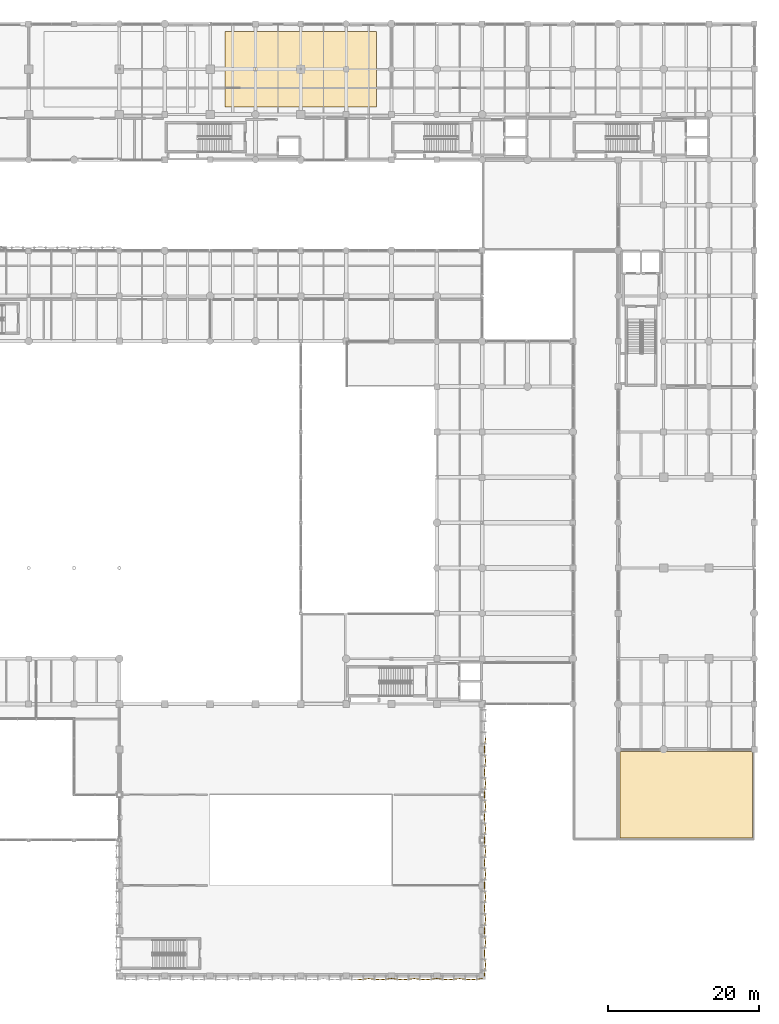
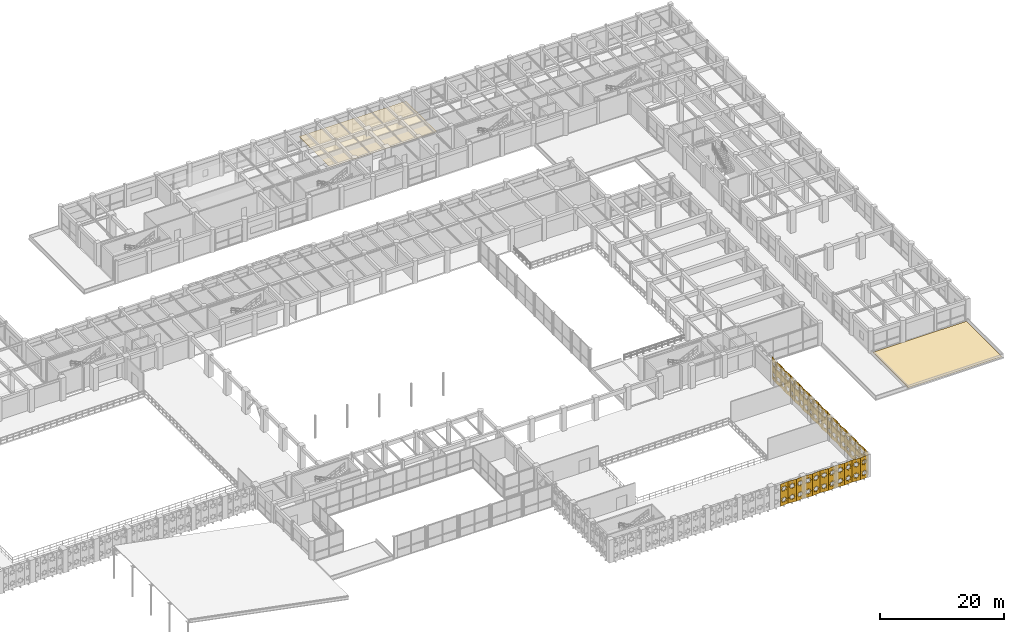
# One storey, part 130 of 133: 34 coverings.
"""IFC4 building model written with IfcOpenShell, lengths in metres."""

import ifcopenshell
import ifcopenshell.guid

model = None  # the IFC model being written
_history = None  # IfcOwnerHistory: only IFC2X3 demands one
_inside = {}  # id of a spatial element -> (the spatial element, [elements in it])
_under = {}  # id of a project, library or spatial element -> (it, [spatial elements below it])
_declared = {}  # id of a project -> (the project, [libraries it declares])
_typed = {}  # id of a type object -> (the type object, [elements of that type])
_made_of = {}  # id of a material, layer set ... -> (it, [elements and type objects made of it])


def new_model(schema):
    """Start an empty IFC model of exactly this schema.

    Asked for "IFC4X3", IfcOpenShell would pick the latest addendum, in which some entities
    have other attributes; the version numbers below select the first issue.
    IFC2X3 requires an IfcOwnerHistory on every rooted entity: one is made here for all.
    """
    global model, _history
    if schema == "IFC4X3":
        model = ifcopenshell.file(schema_version=(4, 3, 0, 0))
    else:
        model = ifcopenshell.file(schema=schema)
    _inside.clear()
    _under.clear()
    _declared.clear()
    _typed.clear()
    _made_of.clear()
    _history = None
    if model.schema == "IFC2X3":
        org = make("IfcOrganization", Name="unknown")
        user = make(
            "IfcPersonAndOrganization",
            ThePerson=make("IfcPerson", FamilyName="unknown"),
            TheOrganization=org,
        )
        app = make(
            "IfcApplication",
            ApplicationDeveloper=org,
            Version="unknown",
            ApplicationFullName="unknown",
            ApplicationIdentifier="unknown",
        )
        _history = make(
            "IfcOwnerHistory",
            OwningUser=user,
            OwningApplication=app,
            ChangeAction="ADDED",
            CreationDate=0,
        )
    return model


def make(cls, **values):
    """One entity of the class cls with the attributes given. An attribute that is None is left unset."""
    return model.create_entity(
        cls, **{name: value for name, value in values.items() if value is not None}
    )


def rooted(cls, **values):
    """An entity with a GlobalId (a new one), such as an element, a storey or a relation."""
    return make(cls, GlobalId=ifcopenshell.guid.new(), OwnerHistory=_history, **values)


def si_unit(unit_type, name, prefix=None):
    """IfcSIUnit, for example si_unit("LENGTHUNIT", "METRE", prefix="MILLI")."""
    return make("IfcSIUnit", UnitType=unit_type, Prefix=prefix, Name=name)


def assignment(units):
    """IfcUnitAssignment: the units of a project."""
    return None if units is None else make("IfcUnitAssignment", Units=units)


def point(xyz):
    """IfcCartesianPoint."""
    return None if xyz is None else make("IfcCartesianPoint", Coordinates=xyz)


def direction(xyz):
    """IfcDirection."""
    return None if xyz is None else make("IfcDirection", DirectionRatios=xyz)


def frame(location, z_axis=None, x_axis=None):
    """IfcAxis2Placement3D, a coordinate frame: its origin and axes. An axis left out is left unset."""
    return make(
        "IfcAxis2Placement3D",
        Location=point(location),
        Axis=direction(z_axis),
        RefDirection=direction(x_axis),
    )


def origin():
    """The frame at (0, 0, 0) with its axes left unset."""
    return frame((0.0, 0.0, 0.0))


def place(relative_to, where):
    """IfcLocalPlacement: puts the frame where relative to a parent placement (None: the world)."""
    return make(
        "IfcLocalPlacement", PlacementRelTo=relative_to, RelativePlacement=where
    )


def context(
    kind, dimensions, precision=None, world=None, true_north=None, identifier=None
):
    """IfcGeometricRepresentationContext, for example the 3D "Model" context."""
    return make(
        "IfcGeometricRepresentationContext",
        ContextIdentifier=identifier,
        ContextType=kind,
        CoordinateSpaceDimension=dimensions,
        Precision=precision,
        WorldCoordinateSystem=world,
        TrueNorth=true_north,
    )


def subcontext(parent, identifier, kind, view, scale=None):
    """IfcGeometricRepresentationSubContext, for example "Body" below "Model"."""
    return make(
        "IfcGeometricRepresentationSubContext",
        ContextIdentifier=identifier,
        ContextType=kind,
        ParentContext=parent,
        TargetScale=scale,
        TargetView=view,
    )


def project(units=None, contexts=None):
    """IfcProject with its units and contexts."""
    return rooted(
        "IfcProject",
        Name="project",
        RepresentationContexts=contexts,
        UnitsInContext=assignment(units),
    )


def spatial(cls, under=None, at=None, **own):
    """A site, building, storey or space (cls), placed at a placement, below another one or the project."""
    s = rooted(cls, ObjectPlacement=at, **own)
    if under is not None:
        _under.setdefault(under.id(), (under, []))[1].append(s)
    return s


def polyline(points):
    """IfcPolyline through the points."""
    return make("IfcPolyline", Points=[point(p) for p in points])


def outline(outer, holes=None, kind="AREA"):
    """IfcArbitraryClosedProfileDef: a profile drawn as a closed curve; with holes, ...WithVoids."""
    if holes is None:
        return make("IfcArbitraryClosedProfileDef", ProfileType=kind, OuterCurve=outer)
    return make(
        "IfcArbitraryProfileDefWithVoids",
        ProfileType=kind,
        OuterCurve=outer,
        InnerCurves=holes,
    )


def extrude(swept, where, along, depth):
    """IfcExtrudedAreaSolid: the profile swept, set in the frame where, extruded along a direction by depth."""
    return make(
        "IfcExtrudedAreaSolid",
        SweptArea=swept,
        Position=where,
        ExtrudedDirection=direction(along),
        Depth=depth,
    )


def shape(context_of_items, identifier, shape_type, items):
    """IfcShapeRepresentation: the items that make up one representation, for example the "Body"."""
    return make(
        "IfcShapeRepresentation",
        ContextOfItems=context_of_items,
        RepresentationIdentifier=identifier,
        RepresentationType=shape_type,
        Items=items,
    )


def material(Name=None, Category=None):
    """IfcMaterial."""
    return make("IfcMaterial", Name=Name, Category=Category)


def layer(
    of_material, thickness, ventilated=None, Name=None, Category=None, Priority=None
):
    """IfcMaterialLayer: one layer of a wall or slab, of a material (None: an air gap)."""
    return make(
        "IfcMaterialLayer",
        Material=of_material,
        LayerThickness=thickness,
        IsVentilated=ventilated,
        Name=Name,
        Category=Category,
        Priority=Priority,
    )


def layer_set(layers, Name=None):
    """IfcMaterialLayerSet."""
    return make("IfcMaterialLayerSet", MaterialLayers=layers, LayerSetName=Name)


def made_of(thing, what):
    """Note that an element or type object is made of a material, layer set ...; save() writes the relation."""
    if what is not None:
        _made_of.setdefault(what.id(), (what, []))[1].append(thing)
    return thing


def type_object(cls, material=None, **own):
    """A type object (cls), such as IfcWallType, which elements share."""
    return made_of(rooted(cls, **own), material)


def element(
    cls,
    number,
    at=None,
    inside=None,
    cuts=None,
    type_object=None,
    material=None,
    context=None,
    identifier="Body",
    shape_type=None,
    held_by="IfcProductDefinitionShape",
    body=None,
    shapes=None,
    **own,
):
    """One element of the class cls, such as IfcWall. Its Tag is "e" and its number.

    at: its placement. inside: the storey or other place that contains it. cuts: it is an
    opening in that element (IfcRelVoidsElement). A single representation is given by context,
    identifier, shape_type and body (its items); several are given by shapes. held_by: the class
    of the entity that holds the representations. save() writes the other relations.
    """
    e = rooted(cls, Tag="e%d" % number, ObjectPlacement=at, **own)
    if body is not None:
        shapes = [shape(context, identifier, shape_type, body)]
    if shapes is not None:
        e.Representation = make(held_by, Representations=shapes)
    if inside is not None:
        _inside.setdefault(inside.id(), (inside, []))[1].append(e)
    if cuts is not None:
        rooted(
            "IfcRelVoidsElement", RelatingBuildingElement=cuts, RelatedOpeningElement=e
        )
    if type_object is not None:
        _typed.setdefault(type_object.id(), (type_object, []))[1].append(e)
    return made_of(e, material)


def aggregate(whole, parts):
    """IfcRelAggregates: a whole, such as a stair, and the parts it consists of."""
    return rooted("IfcRelAggregates", RelatingObject=whole, RelatedObjects=parts)


def save(model, path):
    """Write the relations noted so far, then the file.

    IfcRelAggregates (storeys below a building ...), IfcRelContainedInSpatialStructure (elements
    in a storey), IfcRelDefinesByType, IfcRelAssociatesMaterial and IfcRelDeclares: one each for
    every whole, place, type object, material and project.
    """
    for whole, parts in _under.values():
        aggregate(whole, parts)
    for where, things in _inside.values():
        rooted(
            "IfcRelContainedInSpatialStructure",
            RelatedElements=things,
            RelatingStructure=where,
        )
    for kind, things in _typed.values():
        rooted("IfcRelDefinesByType", RelatedObjects=things, RelatingType=kind)
    for what, things in _made_of.values():
        rooted("IfcRelAssociatesMaterial", RelatedObjects=things, RelatingMaterial=what)
    for by, libraries in _declared.values():
        rooted("IfcRelDeclares", RelatingContext=by, RelatedDefinitions=libraries)
    model.write(path)


model = new_model("IFC4")

# Units and contexts
model_context = context("Model", 3, precision=1e-05, world=origin(), true_north=direction((0.0, 1.0)))
body_context = subcontext(model_context, "Body", "Model", "MODEL_VIEW")
ifc_project = project(units=[si_unit("LENGTHUNIT", "METRE"), si_unit("AREAUNIT", "SQUARE_METRE"), si_unit("VOLUMEUNIT", "CUBIC_METRE"), si_unit("PLANEANGLEUNIT", "RADIAN"), si_unit("MASSUNIT", "GRAM", prefix="KILO"), si_unit("THERMODYNAMICTEMPERATUREUNIT", "KELVIN"), si_unit("POWERUNIT", "WATT")], contexts=[model_context])

# Site, building, storey
site_placement = place(None, origin())
site = spatial("IfcSite", under=ifc_project, at=site_placement, CompositionType="ELEMENT")
building_placement = place(site_placement, origin())
building = spatial("IfcBuilding", under=site, at=building_placement, Name="Phaisarnlok Congress Hotel", CompositionType="ELEMENT")
storey_placement = place(building_placement, frame((0.0, 0.0, 6.0)))
storey = spatial("IfcBuildingStorey", under=building, at=storey_placement, Name="L01", CompositionType="ELEMENT", Elevation=6.0)

# Coverings
ifc_material_1 = material(Name="Perforated Timber & Mineral-Fibre Acoustic Ceiling", Category="wood")
ifc_layer_1 = layer(ifc_material_1, 0.01806640625, Name="Perforated Timber & Mineral-Fibre Acoustic Ceiling")
ifc_layer_set_1 = layer_set([ifc_layer_1], Name="Perforated Timber & Mineral-Fibre Acoustic Ceiling")
covering_type_1 = type_object("IfcCoveringType", Name="CLG-AC-18", PredefinedType="CEILING", material=ifc_layer_set_1)
covering_1_placement = place(storey_placement, frame((0.0, 0.0, 3.199951171875)))
element("IfcCovering", 1, at=covering_1_placement, inside=storey, type_object=covering_type_1, Name="Suspended ceiling CLG-01 (L01)", PredefinedType="CEILING", context=body_context, shape_type="SweptSolid", body=[
    extrude(outline(polyline([(130.0, 125.0), (130.0, 115.0), (110.0, 115.0), (110.0, 125.0), (130.0, 125.0)])), origin(), (0.0, 0.0, 1.0), 0.01806640625),
])
ifc_material_2 = material(Name="TPO Waterproofing Membrane & Rigid PIR Insulation", Category="other")
ifc_layer_2 = layer(ifc_material_2, 0.050048828125, Name="TPO Waterproofing Membrane & Rigid PIR Insulation")
ifc_layer_set_2 = layer_set([ifc_layer_2], Name="TPO Waterproofing Membrane & Rigid PIR Insulation")
covering_type_2 = type_object("IfcCoveringType", Name="COV-ROOF-MEMB", PredefinedType="ROOFING", material=ifc_layer_set_2)
covering_2_placement = place(storey_placement, origin())
element("IfcCovering", 2, at=covering_2_placement, inside=storey, type_object=covering_type_2, Name="Podium roof waterproofing membrane RF-01 (L01 pod_admin_se)", PredefinedType="ROOFING", context=body_context, shape_type="SweptSolid", body=[
    extrude(outline(polyline([(162.25, 18.25), (179.75, 18.25), (179.75, 29.75), (162.25, 29.75), (162.25, 18.25)])), origin(), (0.0, 0.0, 1.0), 0.050048828125),
])
ifc_material_3 = material(Name="PVDF White Perforated Aluminium Alloy 5052", Category="aluminium")
ifc_layer_3 = layer(ifc_material_3, 0.0400390625, Name="PVDF White Perforated Aluminium Alloy 5052")
ifc_layer_set_3 = layer_set([ifc_layer_3], Name="PVDF White Perforated Aluminium Alloy 5052")
covering_type_3 = type_object("IfcCoveringType", Name="COV-STAR-FOLD", PredefinedType="CLADDING", material=ifc_layer_set_3)
for number, where, z_axis, x_axis, name in (
    (3, (127.5, -0.457763671875, 0.06005859375), (0.104566819602, -0.994517863207, 0.0), (0.994517863207, 0.104566819602, 0.0), "Folded star-perforated hall screen SS-02 (V2S L01)"),
    (4, (129.0, -0.300048828125, 0.06005859375), (-0.104566819602, -0.994517863207, 0.0), (0.994517863207, -0.104566819602, 0.0), "Folded star-perforated hall screen SS-02 (V2S L01)"),
    (5, (130.5, -0.457763671875, 0.06005859375), (0.104566819602, -0.994517863207, 0.0), (0.994517863207, 0.104566819602, 0.0), "Folded star-perforated hall screen SS-02 (V2S L01)"),
    (6, (132.0, -0.300048828125, 0.06005859375), (-0.104566819602, -0.994517863207, 0.0), (0.994517863207, -0.104566819602, 0.0), "Folded star-perforated hall screen SS-02 (V2S L01)"),
    (7, (133.5, -0.457763671875, 0.06005859375), (0.104566819602, -0.994517863207, 0.0), (0.994517863207, 0.104566819602, 0.0), "Folded star-perforated hall screen SS-02 (V2S L01)"),
    (8, (135.0, -0.300048828125, 0.06005859375), (-0.104566819602, -0.994517863207, 0.0), (0.994517863207, -0.104566819602, 0.0), "Folded star-perforated hall screen SS-02 (V2S L01)"),
    (9, (136.5, -0.457763671875, 0.06005859375), (0.104566819602, -0.994517863207, 0.0), (0.994517863207, 0.104566819602, 0.0), "Folded star-perforated hall screen SS-02 (V2S L01)"),
    (10, (138.0, -0.300048828125, 0.06005859375), (-0.104566819602, -0.994517863207, 0.0), (0.994517863207, -0.104566819602, 0.0), "Folded star-perforated hall screen SS-02 (V2S L01)"),
    (11, (139.5, -0.457763671875, 0.06005859375), (0.104566819602, -0.994517863207, 0.0), (0.994517863207, 0.104566819602, 0.0), "Folded star-perforated hall screen SS-02 (V2S L01)"),
    (12, (141.0, -0.300048828125, 0.06005859375), (-0.104566819602, -0.994517863207, 0.0), (0.994517863207, -0.104566819602, 0.0), "Folded star-perforated hall screen SS-02 (V2S L01)"),
    (13, (142.5, -0.457763671875, 0.06005859375), (0.104566819602, -0.994517863207, 0.0), (0.994517863207, 0.104566819602, 0.0), "Folded star-perforated hall screen SS-02 (V2S L01)"),
    (14, (144.457763671875, 1.5, 0.06005859375), (-0.994517863207, 0.104566819602, 0.0), (-0.104566819602, -0.994517863207, 0.0), "Folded star-perforated hall screen SS-02 (V2E L01)"),
    (15, (144.300048828125, 3.0, 0.06005859375), (-0.994517863207, -0.104566819602, 0.0), (0.104566819602, -0.994517863207, 0.0), "Folded star-perforated hall screen SS-02 (V2E L01)"),
    (16, (144.457763671875, 4.5, 0.06005859375), (-0.994517863207, 0.104566819602, 0.0), (-0.104566819602, -0.994517863207, 0.0), "Folded star-perforated hall screen SS-02 (V2E L01)"),
    (17, (144.300048828125, 6.0, 0.06005859375), (-0.994517863207, -0.104566819602, 0.0), (0.104566819602, -0.994517863207, 0.0), "Folded star-perforated hall screen SS-02 (V2E L01)"),
    (18, (144.457763671875, 7.5, 0.06005859375), (-0.994517863207, 0.104566819602, 0.0), (-0.104566819602, -0.994517863207, 0.0), "Folded star-perforated hall screen SS-02 (V2E L01)"),
    (19, (144.300048828125, 9.0, 0.06005859375), (-0.994517863207, -0.104566819602, 0.0), (0.104566819602, -0.994517863207, 0.0), "Folded star-perforated hall screen SS-02 (V2E L01)"),
    (20, (144.457763671875, 10.5, 0.06005859375), (-0.994517863207, 0.104566819602, 0.0), (-0.104566819602, -0.994517863207, 0.0), "Folded star-perforated hall screen SS-02 (V2E L01)"),
    (21, (144.300048828125, 12.0, 0.06005859375), (-0.994517863207, -0.104566819602, 0.0), (0.104566819602, -0.994517863207, 0.0), "Folded star-perforated hall screen SS-02 (V2E L01)"),
    (22, (144.457763671875, 13.5, 0.06005859375), (-0.994517863207, 0.104566819602, 0.0), (-0.104566819602, -0.994517863207, 0.0), "Folded star-perforated hall screen SS-02 (V2E L01)"),
    (23, (144.300048828125, 15.0, 0.06005859375), (-0.994517863207, -0.104566819602, 0.0), (0.104566819602, -0.994517863207, 0.0), "Folded star-perforated hall screen SS-02 (V2E L01)"),
    (24, (144.457763671875, 16.5, 0.06005859375), (-0.994517863207, 0.104566819602, 0.0), (-0.104566819602, -0.994517863207, 0.0), "Folded star-perforated hall screen SS-02 (V2E L01)"),
    (25, (144.300048828125, 18.0, 0.06005859375), (-0.994517863207, -0.104566819602, 0.0), (0.104566819602, -0.994517863207, 0.0), "Folded star-perforated hall screen SS-02 (V2E L01)"),
    (26, (144.457763671875, 19.5, 0.06005859375), (-0.994517863207, 0.104566819602, 0.0), (-0.104566819602, -0.994517863207, 0.0), "Folded star-perforated hall screen SS-02 (V2E L01)"),
    (27, (144.300048828125, 21.0, 0.06005859375), (-0.994517863207, -0.104566819602, 0.0), (0.104566819602, -0.994517863207, 0.0), "Folded star-perforated hall screen SS-02 (V2E L01)"),
    (28, (144.457763671875, 22.5, 0.06005859375), (-0.994517863207, 0.104566819602, 0.0), (-0.104566819602, -0.994517863207, 0.0), "Folded star-perforated hall screen SS-02 (V2E L01)"),
    (29, (144.300048828125, 24.0, 0.06005859375), (-0.994517863207, -0.104566819602, 0.0), (0.104566819602, -0.994517863207, 0.0), "Folded star-perforated hall screen SS-02 (V2E L01)"),
    (30, (144.457763671875, 25.5, 0.06005859375), (-0.994517863207, 0.104566819602, 0.0), (-0.104566819602, -0.994517863207, 0.0), "Folded star-perforated hall screen SS-02 (V2E L01)"),
    (31, (144.300048828125, 27.0, 0.06005859375), (-0.994517863207, -0.104566819602, 0.0), (0.104566819602, -0.994517863207, 0.0), "Folded star-perforated hall screen SS-02 (V2E L01)"),
    (32, (144.457763671875, 28.5, 0.06005859375), (-0.994517863207, 0.104566819602, 0.0), (-0.104566819602, -0.994517863207, 0.0), "Folded star-perforated hall screen SS-02 (V2E L01)"),
    (33, (144.300048828125, 30.0, 0.06005859375), (-0.994517863207, -0.104566819602, 0.0), (0.104566819602, -0.994517863207, 0.0), "Folded star-perforated hall screen SS-02 (V2E L01)"),
    (34, (144.457763671875, 31.5, 0.06005859375), (-0.994517863207, 0.104566819602, 0.0), (-0.104566819602, -0.994517863207, 0.0), "Folded star-perforated hall screen SS-02 (V2E L01)"),
):
    element("IfcCovering", number, at=place(storey_placement, frame(where, z_axis=z_axis, x_axis=x_axis)), inside=storey, type_object=covering_type_3, Name=name, PredefinedType="CLADDING", context=body_context, shape_type="SweptSolid", body=[
        extrude(outline(polyline([(0.0, 0.0), (1.5082685344258453, 0.0), (1.5082685344258453, 4.35986328125), (0.0, 4.35986328125), (0.0, 0.0)]), holes=[polyline([(1.0351, 0.9736), (1.2021, 0.6421), (0.8705, 0.8091), (0.7541, 0.4565), (0.6378, 0.8091), (0.3062, 0.6421), (0.4732, 0.9736), (0.1207, 1.09), (0.4732, 1.2064), (0.3062, 1.5379), (0.6378, 1.3709), (0.7541, 1.7235), (0.8705, 1.3709), (1.2021, 1.5379), (1.0351, 1.2064), (1.3876, 1.09), (1.0351, 0.9736)]), polyline([(1.0351, 3.1536), (1.2021, 2.8221), (0.8705, 2.9891), (0.7541, 2.6365), (0.6378, 2.9891), (0.3062, 2.8221), (0.4732, 3.1536), (0.1207, 3.27), (0.4732, 3.3864), (0.3062, 3.7179), (0.6378, 3.5509), (0.7541, 3.9035), (0.8705, 3.5509), (1.2021, 3.7179), (1.0351, 3.3864), (1.3876, 3.27), (1.0351, 3.1536)])]), origin(), (0.0, 0.0, 1.0), 0.0400390625),
    ])

save(model, "model.ifc")
